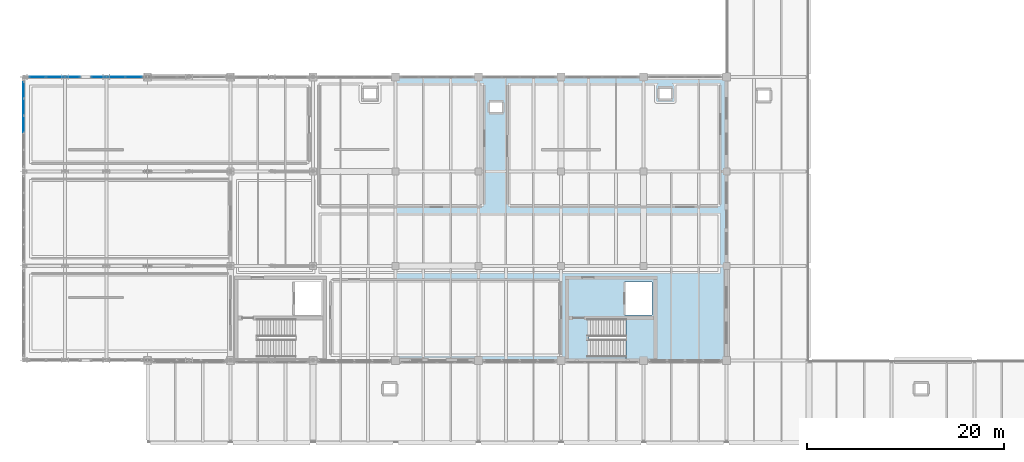
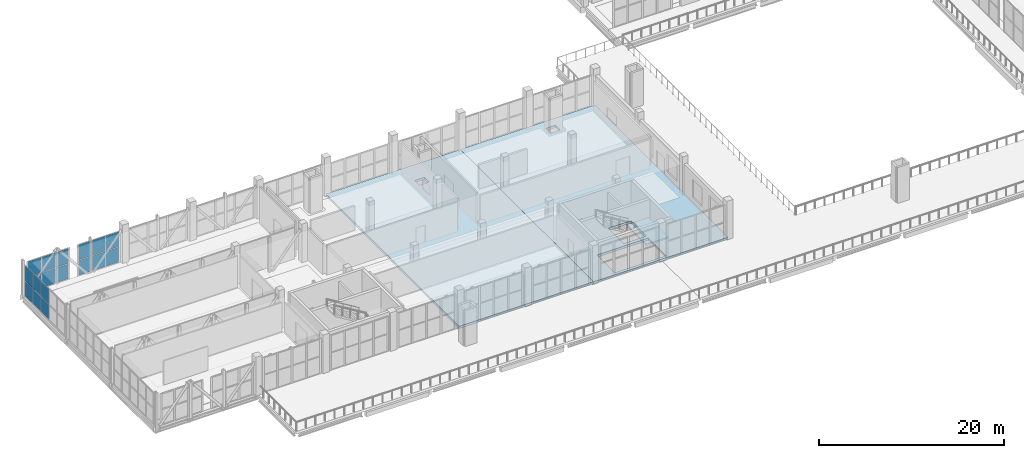
# One storey, part 51 of 77: 18 plates, 3 slabs, 4 elements without a shape of their own.
"""IFC4 building model written with IfcOpenShell, lengths in metres."""

from ifc_helpers import new_model, si_unit, direction, frame, origin, origin_2d, place, context, subcontext, project, spatial, polyline, rectangle, outline, extrude, material, layer, layer_set, type_object, element, aggregate, save


model = new_model("IFC4")

# Units and contexts
model_context = context("Model", 3, precision=1e-05, world=origin(), true_north=direction((0.0, 1.0)))
body_context = subcontext(model_context, "Body", "Model", "MODEL_VIEW")
ifc_project = project(units=[si_unit("LENGTHUNIT", "METRE"), si_unit("AREAUNIT", "SQUARE_METRE"), si_unit("VOLUMEUNIT", "CUBIC_METRE"), si_unit("PLANEANGLEUNIT", "RADIAN"), si_unit("MASSUNIT", "GRAM", prefix="KILO")], contexts=[model_context])

# Site, building, storey
site_placement = place(None, origin())
site = spatial("IfcSite", under=ifc_project, at=site_placement, CompositionType="ELEMENT")
building_placement = place(site_placement, origin())
building = spatial("IfcBuilding", under=site, at=building_placement, Name="Zulmaris Art Gallery", CompositionType="ELEMENT")
storey_placement = place(building_placement, frame((0.0, 0.0, 15.60009765625)))
storey = spatial("IfcBuildingStorey", under=building, at=storey_placement, Name="L03", CompositionType="ELEMENT", Elevation=15.60009765625)

# Curtain wall, plates
ifc_material_1 = material(Name="Unitised Low-E Gallery Curtain Wall", Category="aluminium")
ifc_layer_1 = layer(ifc_material_1, 0.179931640625)
ifc_layer_set_1 = layer_set([ifc_layer_1], Name="Unitised Low-E Gallery Curtain Wall")
curtain_wall_type_1 = type_object("IfcCurtainWallType", Name="CW-CW01", PredefinedType="NOTDEFINED", material=ifc_layer_set_1)
curtain_wall_1_placement = place(storey_placement, origin())
curtain_wall_1 = element("IfcCurtainWall", 1, at=curtain_wall_1_placement, inside=storey, type_object=curtain_wall_type_1, Name="L03 curtain wall 2", PredefinedType="NOTDEFINED")
ifc_material_2 = material(Name="Triple Solar-Control Laminated Glass", Category="glass")
ifc_layer_2 = layer(ifc_material_2, 0.035888671875)
ifc_layer_set_2 = layer_set([ifc_layer_2], Name="Triple Solar-Control Laminated Glass")
plate_type = type_object("IfcPlateType", Name="CWPAN-GLZ", PredefinedType="CURTAIN_PANEL", material=ifc_layer_set_2)
plate_1_placement = place(storey_placement, frame((16.271240234375, 50.39990234375, 0.07470703125), z_axis=(0.0, 0.0, 1.0), x_axis=(-1.0, 0.0, 0.0)))
plate_1 = element("IfcPlate", 2, at=plate_1_placement, type_object=plate_type, Name="CW01 panel 1.1", PredefinedType="CURTAIN_PANEL", context=body_context, shape_type="SweptSolid", body=[
    extrude(rectangle(XDim=1.62744140625, YDim=0.031982421875, at=origin_2d()), origin(), (0.0, 0.0, 1.0), 1.967529296875),
])
plate_2_placement = place(storey_placement, frame((16.271240234375, 50.39990234375, 2.1171875), z_axis=(0.0, 0.0, 1.0), x_axis=(-1.0, 0.0, 0.0)))
plate_2 = element("IfcPlate", 3, at=plate_2_placement, type_object=plate_type, Name="CW01 panel 1.2", PredefinedType="CURTAIN_PANEL", context=body_context, shape_type="SweptSolid", body=[
    extrude(rectangle(XDim=1.62744140625, YDim=0.031982421875, at=origin_2d()), origin(), (0.0, 0.0, 1.0), 1.967529296875),
])
plate_3_placement = place(storey_placement, frame((14.550048828125, 50.39990234375, 0.07470703125), z_axis=(0.0, 0.0, 1.0), x_axis=(-1.0, 0.0, 0.0)))
plate_3 = element("IfcPlate", 4, at=plate_3_placement, type_object=plate_type, Name="CW01 panel 2.1", PredefinedType="CURTAIN_PANEL", context=body_context, shape_type="SweptSolid", body=[
    extrude(rectangle(XDim=1.6650390625, YDim=0.031982421875, at=origin_2d()), origin(), (0.0, 0.0, 1.0), 1.967529296875),
])
plate_4_placement = place(storey_placement, frame((14.550048828125, 50.39990234375, 2.1171875), z_axis=(0.0, 0.0, 1.0), x_axis=(-1.0, 0.0, 0.0)))
plate_4 = element("IfcPlate", 5, at=plate_4_placement, type_object=plate_type, Name="CW01 panel 2.2", PredefinedType="CURTAIN_PANEL", context=body_context, shape_type="SweptSolid", body=[
    extrude(rectangle(XDim=1.6650390625, YDim=0.031982421875, at=origin_2d()), origin(), (0.0, 0.0, 1.0), 1.967529296875),
])
plate_5_placement = place(storey_placement, frame((12.828857421875, 50.39990234375, 0.07470703125), z_axis=(0.0, 0.0, 1.0), x_axis=(-1.0, 0.0, 0.0)))
plate_5 = element("IfcPlate", 6, at=plate_5_placement, type_object=plate_type, Name="CW01 panel 3.1", PredefinedType="CURTAIN_PANEL", context=body_context, shape_type="SweptSolid", body=[
    extrude(rectangle(XDim=1.62744140625, YDim=0.031982421875, at=origin_2d()), origin(), (0.0, 0.0, 1.0), 1.967529296875),
])
plate_6_placement = place(storey_placement, frame((12.828857421875, 50.39990234375, 2.1171875), z_axis=(0.0, 0.0, 1.0), x_axis=(-1.0, 0.0, 0.0)))
plate_6 = element("IfcPlate", 7, at=plate_6_placement, type_object=plate_type, Name="CW01 panel 3.2", PredefinedType="CURTAIN_PANEL", context=body_context, shape_type="SweptSolid", body=[
    extrude(rectangle(XDim=1.62744140625, YDim=0.031982421875, at=origin_2d()), origin(), (0.0, 0.0, 1.0), 1.967529296875),
])
aggregate(curtain_wall_1, [plate_1, plate_2, plate_3, plate_4, plate_5, plate_6])

curtain_wall_2_placement = place(storey_placement, origin())
curtain_wall_2 = element("IfcCurtainWall", 8, at=curtain_wall_2_placement, inside=storey, type_object=curtain_wall_type_1, Name="L03 curtain wall 4", PredefinedType="NOTDEFINED")
plate_7_placement = place(storey_placement, frame((22.5712890625, 50.39990234375, 0.07470703125), z_axis=(0.0, 0.0, 1.0), x_axis=(-1.0, 0.0, 0.0)))
plate_7 = element("IfcPlate", 9, at=plate_7_placement, type_object=plate_type, Name="CW01 panel 1.1", PredefinedType="CURTAIN_PANEL", context=body_context, shape_type="SweptSolid", body=[
    extrude(rectangle(XDim=1.62744140625, YDim=0.031982421875, at=origin_2d()), origin(), (0.0, 0.0, 1.0), 1.967529296875),
])
plate_8_placement = place(storey_placement, frame((22.5712890625, 50.39990234375, 2.1171875), z_axis=(0.0, 0.0, 1.0), x_axis=(-1.0, 0.0, 0.0)))
plate_8 = element("IfcPlate", 10, at=plate_8_placement, type_object=plate_type, Name="CW01 panel 1.2", PredefinedType="CURTAIN_PANEL", context=body_context, shape_type="SweptSolid", body=[
    extrude(rectangle(XDim=1.62744140625, YDim=0.031982421875, at=origin_2d()), origin(), (0.0, 0.0, 1.0), 1.967529296875),
])
plate_9_placement = place(storey_placement, frame((20.85009765625, 50.39990234375, 0.07470703125), z_axis=(0.0, 0.0, 1.0), x_axis=(-1.0, 0.0, 0.0)))
plate_9 = element("IfcPlate", 11, at=plate_9_placement, type_object=plate_type, Name="CW01 panel 2.1", PredefinedType="CURTAIN_PANEL", context=body_context, shape_type="SweptSolid", body=[
    extrude(rectangle(XDim=1.6650390625, YDim=0.031982421875, at=origin_2d()), origin(), (0.0, 0.0, 1.0), 1.967529296875),
])
plate_10_placement = place(storey_placement, frame((20.85009765625, 50.39990234375, 2.1171875), z_axis=(0.0, 0.0, 1.0), x_axis=(-1.0, 0.0, 0.0)))
plate_10 = element("IfcPlate", 12, at=plate_10_placement, type_object=plate_type, Name="CW01 panel 2.2", PredefinedType="CURTAIN_PANEL", context=body_context, shape_type="SweptSolid", body=[
    extrude(rectangle(XDim=1.6650390625, YDim=0.031982421875, at=origin_2d()), origin(), (0.0, 0.0, 1.0), 1.967529296875),
])
plate_11_placement = place(storey_placement, frame((19.128662109375, 50.39990234375, 0.07470703125), z_axis=(0.0, 0.0, 1.0), x_axis=(-1.0, 0.0, 0.0)))
plate_11 = element("IfcPlate", 13, at=plate_11_placement, type_object=plate_type, Name="CW01 panel 3.1", PredefinedType="CURTAIN_PANEL", context=body_context, shape_type="SweptSolid", body=[
    extrude(rectangle(XDim=1.62744140625, YDim=0.031982421875, at=origin_2d()), origin(), (0.0, 0.0, 1.0), 1.967529296875),
])
plate_12_placement = place(storey_placement, frame((19.128662109375, 50.39990234375, 2.1171875), z_axis=(0.0, 0.0, 1.0), x_axis=(-1.0, 0.0, 0.0)))
plate_12 = element("IfcPlate", 14, at=plate_12_placement, type_object=plate_type, Name="CW01 panel 3.2", PredefinedType="CURTAIN_PANEL", context=body_context, shape_type="SweptSolid", body=[
    extrude(rectangle(XDim=1.62744140625, YDim=0.031982421875, at=origin_2d()), origin(), (0.0, 0.0, 1.0), 1.967529296875),
])
aggregate(curtain_wall_2, [plate_7, plate_8, plate_9, plate_10, plate_11, plate_12])

ifc_material_3 = material(Name="Belvedere Horizon Glazed Curtain Wall", Category="aluminium")
ifc_layer_3 = layer(ifc_material_3, 0.179931640625)
ifc_layer_set_3 = layer_set([ifc_layer_3], Name="Belvedere Horizon Glazed Curtain Wall")
curtain_wall_type_2 = type_object("IfcCurtainWallType", Name="CW-CW02", PredefinedType="NOTDEFINED", material=ifc_layer_set_3)
curtain_wall_3_placement = place(storey_placement, origin())
curtain_wall_3 = element("IfcCurtainWall", 15, at=curtain_wall_3_placement, inside=storey, type_object=curtain_wall_type_2, Name="L03 curtain wall 18", PredefinedType="NOTDEFINED")
plate_13_placement = place(storey_placement, frame((11.39990234375, 45.60009765625, 0.07470703125), z_axis=(0.0, 0.0, 1.0), x_axis=(0.0, 1.0, 0.0)))
plate_13 = element("IfcPlate", 16, at=plate_13_placement, type_object=plate_type, Name="CW02 panel 3.1", PredefinedType="CURTAIN_PANEL", context=body_context, shape_type="SweptSolid", body=[
    extrude(rectangle(XDim=1.6650390625, YDim=0.031982421875, at=origin_2d()), origin(), (0.0, 0.0, 1.0), 1.967529296875),
])
plate_14_placement = place(storey_placement, frame((11.39990234375, 45.60009765625, 2.1171875), z_axis=(0.0, 0.0, 1.0), x_axis=(0.0, 1.0, 0.0)))
plate_14 = element("IfcPlate", 17, at=plate_14_placement, type_object=plate_type, Name="CW02 panel 3.2", PredefinedType="CURTAIN_PANEL", context=body_context, shape_type="SweptSolid", body=[
    extrude(rectangle(XDim=1.6650390625, YDim=0.031982421875, at=origin_2d()), origin(), (0.0, 0.0, 1.0), 1.967529296875),
])
plate_15_placement = place(storey_placement, frame((11.39990234375, 47.340087890625, 0.07470703125), z_axis=(0.0, 0.0, 1.0), x_axis=(0.0, 1.0, 0.0)))
plate_15 = element("IfcPlate", 18, at=plate_15_placement, type_object=plate_type, Name="CW02 panel 4.1", PredefinedType="CURTAIN_PANEL", context=body_context, shape_type="SweptSolid", body=[
    extrude(rectangle(XDim=1.6650390625, YDim=0.031982421875, at=origin_2d()), origin(), (0.0, 0.0, 1.0), 1.967529296875),
])
plate_16_placement = place(storey_placement, frame((11.39990234375, 47.340087890625, 2.1171875), z_axis=(0.0, 0.0, 1.0), x_axis=(0.0, 1.0, 0.0)))
plate_16 = element("IfcPlate", 19, at=plate_16_placement, type_object=plate_type, Name="CW02 panel 4.2", PredefinedType="CURTAIN_PANEL", context=body_context, shape_type="SweptSolid", body=[
    extrude(rectangle(XDim=1.6650390625, YDim=0.031982421875, at=origin_2d()), origin(), (0.0, 0.0, 1.0), 1.967529296875),
])
plate_17_placement = place(storey_placement, frame((11.39990234375, 49.061279296875, 0.07470703125), z_axis=(0.0, 0.0, 1.0), x_axis=(0.0, 1.0, 0.0)))
plate_17 = element("IfcPlate", 20, at=plate_17_placement, type_object=plate_type, Name="CW02 panel 5.1", PredefinedType="CURTAIN_PANEL", context=body_context, shape_type="SweptSolid", body=[
    extrude(rectangle(XDim=1.62744140625, YDim=0.031982421875, at=origin_2d()), origin(), (0.0, 0.0, 1.0), 1.967529296875),
])
plate_18_placement = place(storey_placement, frame((11.39990234375, 49.061279296875, 2.1171875), z_axis=(0.0, 0.0, 1.0), x_axis=(0.0, 1.0, 0.0)))
plate_18 = element("IfcPlate", 21, at=plate_18_placement, type_object=plate_type, Name="CW02 panel 5.2", PredefinedType="CURTAIN_PANEL", context=body_context, shape_type="SweptSolid", body=[
    extrude(rectangle(XDim=1.62744140625, YDim=0.031982421875, at=origin_2d()), origin(), (0.0, 0.0, 1.0), 1.967529296875),
])
aggregate(curtain_wall_3, [plate_13, plate_14, plate_15, plate_16, plate_17, plate_18])

# Slabs
ifc_material_4 = material(Name="Concrete C40/50", Category="concrete")
ifc_layer_4 = layer(ifc_material_4, 0.31005859375)
ifc_layer_set_4 = layer_set([ifc_layer_4], Name="Concrete C40/50")
slab_type_1 = type_object("IfcSlabType", Name="SLAB-SL-FL03", PredefinedType="FLOOR", material=ifc_layer_set_4)
slab_1_placement = place(storey_placement, frame((0.0, 0.0, -0.31005859375)))
element("IfcSlab", 22, at=slab_1_placement, inside=storey, type_object=slab_type_1, Name="L03 V1-BACK-M slab", PredefinedType="FLOOR", context=body_context, shape_type="SweptSolid", body=[
    extrude(outline(polyline([(49.199951171875, 21.60009765625), (49.199951171875, 50.39990234375), (66.0, 50.39990234375), (66.0, 21.60009765625), (49.199951171875, 21.60009765625)]), holes=[polyline([(60.0, 46.800048828125), (60.0, 47.800048828125), (58.800048828125, 47.800048828125), (58.800048828125, 46.800048828125), (60.0, 46.800048828125)])]), origin(), (0.0, 0.0, 1.0), 0.31005859375),
])
slab_2_placement = place(storey_placement, frame((0.0, 0.0, -0.31005859375)))
element("IfcSlab", 23, at=slab_2_placement, inside=storey, type_object=slab_type_1, Name="L03 V1-BACK-E slab", PredefinedType="FLOOR", context=body_context, shape_type="SweptSolid", body=[
    extrude(outline(polyline([(66.0, 21.60009765625), (66.0, 50.39990234375), (82.800048828125, 50.39990234375), (82.800048828125, 21.60009765625), (66.0, 21.60009765625)]), holes=[polyline([(68.860107421875, 21.949951171875), (75.25, 21.949951171875), (75.25, 25.7900390625), (68.860107421875, 25.7900390625), (68.860107421875, 21.949951171875)]), polyline([(75.25, 26.219970703125), (75.25, 29.550048828125), (72.449951171875, 29.550048828125), (72.449951171875, 26.219970703125), (75.25, 26.219970703125)]), polyline([(77.199951171875, 48.199951171875), (77.199951171875, 49.199951171875), (76.0, 49.199951171875), (76.0, 48.199951171875), (77.199951171875, 48.199951171875)])]), origin(), (0.0, 0.0, 1.0), 0.31005859375),
])

# Stair, slab
stair_type = type_object("IfcStairType", Name="STAIR-CORE", PredefinedType="HALF_TURN_STAIR", material=ifc_material_4)
stair_placement = place(storey_placement, origin())
stair = element("IfcStair", 24, at=stair_placement, inside=storey, type_object=stair_type, Name="L03 Exit Stair ST2", PredefinedType="HALF_TURN_STAIR")
ifc_layer_5 = layer(ifc_material_4, 0.2099609375)
ifc_layer_set_5 = layer_set([ifc_layer_5], Name="Concrete C40/50")
slab_type_2 = type_object("IfcSlabType", Name="SLAB-STLND", PredefinedType="LANDING", material=ifc_layer_set_5)
slab_3_placement = place(storey_placement, frame((0.0, 0.0, 2.349853515625)))
slab_3 = element("IfcSlab", 25, at=slab_3_placement, type_object=slab_type_2, Name="ST2 landing 1", PredefinedType="LANDING", context=body_context, shape_type="SweptSolid", body=[
    extrude(outline(polyline([(72.6201171875, 21.72998046875), (75.449951171875, 21.72998046875), (75.449951171875, 26.010009765625), (72.6201171875, 26.010009765625), (72.6201171875, 21.72998046875)])), origin(), (0.0, 0.0, 1.0), 0.199951171875),
])
aggregate(stair, [slab_3])

save(model, "model.ifc")
